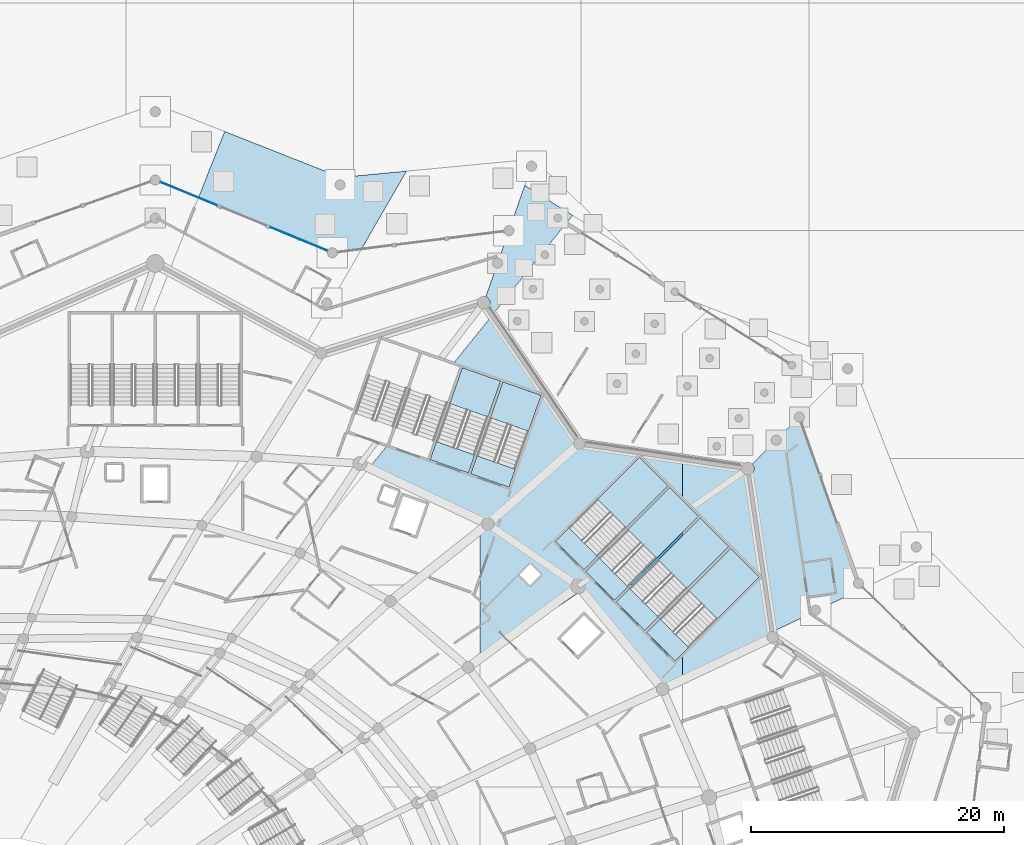
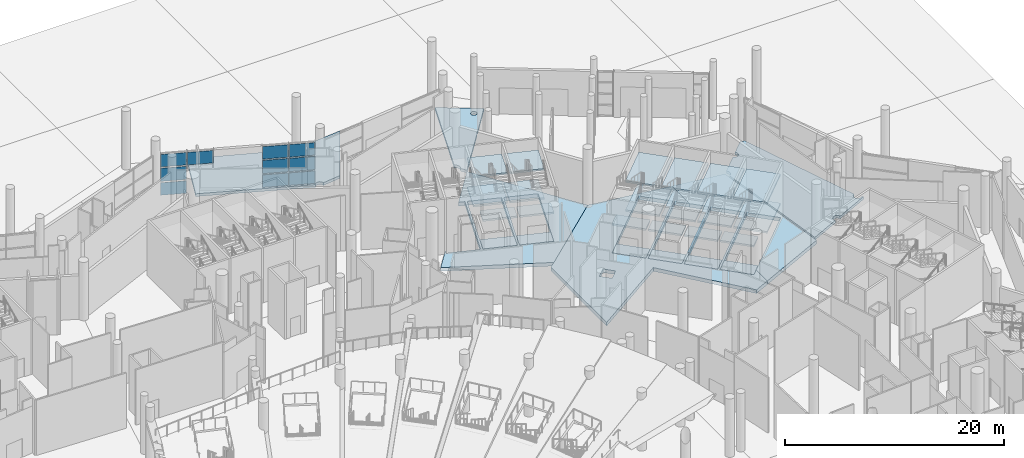
# One storey, part 98 of 255: 31 slabs, 10 plates, 8 elements without a shape of their own.
"""IFC4 building model written with IfcOpenShell, lengths in metres."""

import ifcopenshell
import ifcopenshell.guid

model = None  # the IFC model being written
_history = None  # IfcOwnerHistory: only IFC2X3 demands one
_inside = {}  # id of a spatial element -> (the spatial element, [elements in it])
_under = {}  # id of a project, library or spatial element -> (it, [spatial elements below it])
_declared = {}  # id of a project -> (the project, [libraries it declares])
_typed = {}  # id of a type object -> (the type object, [elements of that type])
_made_of = {}  # id of a material, layer set ... -> (it, [elements and type objects made of it])


def new_model(schema):
    """Start an empty IFC model of exactly this schema.

    Asked for "IFC4X3", IfcOpenShell would pick the latest addendum, in which some entities
    have other attributes; the version numbers below select the first issue.
    IFC2X3 requires an IfcOwnerHistory on every rooted entity: one is made here for all.
    """
    global model, _history
    if schema == "IFC4X3":
        model = ifcopenshell.file(schema_version=(4, 3, 0, 0))
    else:
        model = ifcopenshell.file(schema=schema)
    _inside.clear()
    _under.clear()
    _declared.clear()
    _typed.clear()
    _made_of.clear()
    _history = None
    if model.schema == "IFC2X3":
        org = make("IfcOrganization", Name="unknown")
        user = make(
            "IfcPersonAndOrganization",
            ThePerson=make("IfcPerson", FamilyName="unknown"),
            TheOrganization=org,
        )
        app = make(
            "IfcApplication",
            ApplicationDeveloper=org,
            Version="unknown",
            ApplicationFullName="unknown",
            ApplicationIdentifier="unknown",
        )
        _history = make(
            "IfcOwnerHistory",
            OwningUser=user,
            OwningApplication=app,
            ChangeAction="ADDED",
            CreationDate=0,
        )
    return model


def make(cls, **values):
    """One entity of the class cls with the attributes given. An attribute that is None is left unset."""
    return model.create_entity(
        cls, **{name: value for name, value in values.items() if value is not None}
    )


def rooted(cls, **values):
    """An entity with a GlobalId (a new one), such as an element, a storey or a relation."""
    return make(cls, GlobalId=ifcopenshell.guid.new(), OwnerHistory=_history, **values)


def si_unit(unit_type, name, prefix=None):
    """IfcSIUnit, for example si_unit("LENGTHUNIT", "METRE", prefix="MILLI")."""
    return make("IfcSIUnit", UnitType=unit_type, Prefix=prefix, Name=name)


def assignment(units):
    """IfcUnitAssignment: the units of a project."""
    return None if units is None else make("IfcUnitAssignment", Units=units)


def point(xyz):
    """IfcCartesianPoint."""
    return None if xyz is None else make("IfcCartesianPoint", Coordinates=xyz)


def direction(xyz):
    """IfcDirection."""
    return None if xyz is None else make("IfcDirection", DirectionRatios=xyz)


def frame(location, z_axis=None, x_axis=None):
    """IfcAxis2Placement3D, a coordinate frame: its origin and axes. An axis left out is left unset."""
    return make(
        "IfcAxis2Placement3D",
        Location=point(location),
        Axis=direction(z_axis),
        RefDirection=direction(x_axis),
    )


def frame_2d(location, x_axis=None):
    """IfcAxis2Placement2D, a coordinate frame in the plane: its origin and x axis."""
    return make(
        "IfcAxis2Placement2D", Location=point(location), RefDirection=direction(x_axis)
    )


def origin():
    """The frame at (0, 0, 0) with its axes left unset."""
    return frame((0.0, 0.0, 0.0))


def origin_2d():
    """The frame at (0, 0) in the plane with its x axis left unset."""
    return frame_2d((0.0, 0.0))


def place(relative_to, where):
    """IfcLocalPlacement: puts the frame where relative to a parent placement (None: the world)."""
    return make(
        "IfcLocalPlacement", PlacementRelTo=relative_to, RelativePlacement=where
    )


def context(
    kind, dimensions, precision=None, world=None, true_north=None, identifier=None
):
    """IfcGeometricRepresentationContext, for example the 3D "Model" context."""
    return make(
        "IfcGeometricRepresentationContext",
        ContextIdentifier=identifier,
        ContextType=kind,
        CoordinateSpaceDimension=dimensions,
        Precision=precision,
        WorldCoordinateSystem=world,
        TrueNorth=true_north,
    )


def subcontext(parent, identifier, kind, view, scale=None):
    """IfcGeometricRepresentationSubContext, for example "Body" below "Model"."""
    return make(
        "IfcGeometricRepresentationSubContext",
        ContextIdentifier=identifier,
        ContextType=kind,
        ParentContext=parent,
        TargetScale=scale,
        TargetView=view,
    )


def project(units=None, contexts=None):
    """IfcProject with its units and contexts."""
    return rooted(
        "IfcProject",
        Name="project",
        RepresentationContexts=contexts,
        UnitsInContext=assignment(units),
    )


def spatial(cls, under=None, at=None, **own):
    """A site, building, storey or space (cls), placed at a placement, below another one or the project."""
    s = rooted(cls, ObjectPlacement=at, **own)
    if under is not None:
        _under.setdefault(under.id(), (under, []))[1].append(s)
    return s


def polyline(points):
    """IfcPolyline through the points."""
    return make("IfcPolyline", Points=[point(p) for p in points])


def profile(cls, at=None, kind="AREA", **sizes):
    """A parametric profile (cls). Its sizes go by their IFC names, for example OverallWidth=200.0."""
    return make(cls, ProfileType=kind, Position=at, **sizes)


def rectangle(**sizes):
    """IfcRectangleProfileDef."""
    return profile("IfcRectangleProfileDef", **sizes)


def outline(outer, holes=None, kind="AREA"):
    """IfcArbitraryClosedProfileDef: a profile drawn as a closed curve; with holes, ...WithVoids."""
    if holes is None:
        return make("IfcArbitraryClosedProfileDef", ProfileType=kind, OuterCurve=outer)
    return make(
        "IfcArbitraryProfileDefWithVoids",
        ProfileType=kind,
        OuterCurve=outer,
        InnerCurves=holes,
    )


def extrude(swept, where, along, depth):
    """IfcExtrudedAreaSolid: the profile swept, set in the frame where, extruded along a direction by depth."""
    return make(
        "IfcExtrudedAreaSolid",
        SweptArea=swept,
        Position=where,
        ExtrudedDirection=direction(along),
        Depth=depth,
    )


def shape(context_of_items, identifier, shape_type, items):
    """IfcShapeRepresentation: the items that make up one representation, for example the "Body"."""
    return make(
        "IfcShapeRepresentation",
        ContextOfItems=context_of_items,
        RepresentationIdentifier=identifier,
        RepresentationType=shape_type,
        Items=items,
    )


def material(Name=None, Category=None):
    """IfcMaterial."""
    return make("IfcMaterial", Name=Name, Category=Category)


def layer(
    of_material, thickness, ventilated=None, Name=None, Category=None, Priority=None
):
    """IfcMaterialLayer: one layer of a wall or slab, of a material (None: an air gap)."""
    return make(
        "IfcMaterialLayer",
        Material=of_material,
        LayerThickness=thickness,
        IsVentilated=ventilated,
        Name=Name,
        Category=Category,
        Priority=Priority,
    )


def layer_set(layers, Name=None):
    """IfcMaterialLayerSet."""
    return make("IfcMaterialLayerSet", MaterialLayers=layers, LayerSetName=Name)


def made_of(thing, what):
    """Note that an element or type object is made of a material, layer set ...; save() writes the relation."""
    if what is not None:
        _made_of.setdefault(what.id(), (what, []))[1].append(thing)
    return thing


def type_object(cls, material=None, **own):
    """A type object (cls), such as IfcWallType, which elements share."""
    return made_of(rooted(cls, **own), material)


def element(
    cls,
    number,
    at=None,
    inside=None,
    cuts=None,
    type_object=None,
    material=None,
    context=None,
    identifier="Body",
    shape_type=None,
    held_by="IfcProductDefinitionShape",
    body=None,
    shapes=None,
    **own,
):
    """One element of the class cls, such as IfcWall. Its Tag is "e" and its number.

    at: its placement. inside: the storey or other place that contains it. cuts: it is an
    opening in that element (IfcRelVoidsElement). A single representation is given by context,
    identifier, shape_type and body (its items); several are given by shapes. held_by: the class
    of the entity that holds the representations. save() writes the other relations.
    """
    e = rooted(cls, Tag="e%d" % number, ObjectPlacement=at, **own)
    if body is not None:
        shapes = [shape(context, identifier, shape_type, body)]
    if shapes is not None:
        e.Representation = make(held_by, Representations=shapes)
    if inside is not None:
        _inside.setdefault(inside.id(), (inside, []))[1].append(e)
    if cuts is not None:
        rooted(
            "IfcRelVoidsElement", RelatingBuildingElement=cuts, RelatedOpeningElement=e
        )
    if type_object is not None:
        _typed.setdefault(type_object.id(), (type_object, []))[1].append(e)
    return made_of(e, material)


def aggregate(whole, parts):
    """IfcRelAggregates: a whole, such as a stair, and the parts it consists of."""
    return rooted("IfcRelAggregates", RelatingObject=whole, RelatedObjects=parts)


def save(model, path):
    """Write the relations noted so far, then the file.

    IfcRelAggregates (storeys below a building ...), IfcRelContainedInSpatialStructure (elements
    in a storey), IfcRelDefinesByType, IfcRelAssociatesMaterial and IfcRelDeclares: one each for
    every whole, place, type object, material and project.
    """
    for whole, parts in _under.values():
        aggregate(whole, parts)
    for where, things in _inside.values():
        rooted(
            "IfcRelContainedInSpatialStructure",
            RelatedElements=things,
            RelatingStructure=where,
        )
    for kind, things in _typed.values():
        rooted("IfcRelDefinesByType", RelatedObjects=things, RelatingType=kind)
    for what, things in _made_of.values():
        rooted("IfcRelAssociatesMaterial", RelatedObjects=things, RelatingMaterial=what)
    for by, libraries in _declared.values():
        rooted("IfcRelDeclares", RelatingContext=by, RelatedDefinitions=libraries)
    model.write(path)


model = new_model("IFC4")

# Units and contexts
model_context = context("Model", 3, precision=1e-05, world=origin(), true_north=direction((0.0, 1.0)))
body_context = subcontext(model_context, "Body", "Model", "MODEL_VIEW")
ifc_project = project(units=[si_unit("LENGTHUNIT", "METRE"), si_unit("AREAUNIT", "SQUARE_METRE"), si_unit("VOLUMEUNIT", "CUBIC_METRE"), si_unit("PLANEANGLEUNIT", "RADIAN"), si_unit("MASSUNIT", "GRAM", prefix="KILO")], contexts=[model_context])

# Site, building, storey
site_placement = place(None, origin())
site = spatial("IfcSite", under=ifc_project, at=site_placement, CompositionType="ELEMENT")
building_placement = place(site_placement, origin())
building = spatial("IfcBuilding", under=site, at=building_placement, Name="Meseta Stadium", CompositionType="ELEMENT")
storey_placement = place(building_placement, origin())
storey = spatial("IfcBuildingStorey", under=building, at=storey_placement, Name="L00", CompositionType="ELEMENT", Elevation=0.0)

# Slabs
ifc_material_1 = material(Name="Concrete C40/50", Category="concrete")
ifc_layer_1 = layer(ifc_material_1, 0.39990234375)
ifc_layer_set_1 = layer_set([ifc_layer_1], Name="Floor slab 400")
slab_type_1 = type_object("IfcSlabType", Name="Floor slab 400", PredefinedType="FLOOR", material=ifc_layer_set_1)
slab_1_placement = place(storey_placement, frame((0.0, 0.0, -0.39990234375)))
element("IfcSlab", 1, at=slab_1_placement, inside=storey, type_object=slab_type_1, Name="Floor slab L00 sector 07 panel 07", PredefinedType="FLOOR", context=body_context, shape_type="SweptSolid", body=[
    extrude(outline(polyline([(55.242919921875, 89.238037109375), (64.6220703125, 84.79248046875), (71.856689453125, 91.15087890625), (64.973388671875, 101.294921875), (61.85107421875, 97.426025390625), (62.419677734375, 97.227294921875), (59.87646484375, 89.959228515625), (56.85595703125, 91.01611328125), (56.9921875, 91.40576171875), (55.242919921875, 89.238037109375)]), holes=[polyline([(62.6083984375, 97.1611328125), (65.62890625, 96.104248046875), (63.085693359375, 88.836181640625), (60.065185546875, 89.893310546875), (62.6083984375, 97.1611328125)]), polyline([(65.8173828125, 96.0380859375), (68.837890625, 94.981201171875), (66.294921875, 87.71337890625), (63.2744140625, 88.770263671875), (65.8173828125, 96.0380859375)])]), origin(), (0.0, 0.0, 1.0), 0.39990234375),
])
slab_2_placement = place(storey_placement, frame((0.0, 0.0, -0.39990234375)))
element("IfcSlab", 2, at=slab_2_placement, inside=storey, type_object=slab_type_1, Name="Floor slab L00 sector 07 panel 08", PredefinedType="FLOOR", context=body_context, shape_type="SweptSolid", body=[
    extrude(outline(polyline([(77.183349609375, 76.233642578125), (80.94970703125, 80.0), (80.6669921875, 80.0), (77.0419921875, 76.375), (74.779296875, 78.6376953125), (76.141357421875, 80.0), (75.858642578125, 80.0), (74.6376953125, 78.779296875), (72.375, 81.0419921875), (79.02197265625, 87.688720703125), (80.0, 86.710693359375), (80.0, 89.94189453125), (71.856689453125, 91.15087890625), (64.6220703125, 84.79248046875), (64.0, 84.300537109375), (64.0, 74.098876953125), (72.06103515625, 79.54052734375), (78.4453125, 71.756103515625), (80.0, 72.48828125), (80.0, 74.524658203125), (79.4462890625, 73.970947265625), (77.183349609375, 76.233642578125)]), holes=[polyline([(67.963134765625, 81.650390625), (68.811767578125, 80.802001953125), (67.963134765625, 79.953369140625), (67.114501953125, 80.802001953125), (67.963134765625, 81.650390625)]), polyline([(78.880615234375, 87.830078125), (72.233642578125, 81.183349609375), (69.970947265625, 83.4462890625), (76.61767578125, 90.093017578125), (78.880615234375, 87.830078125)])]), origin(), (0.0, 0.0, 1.0), 0.39990234375),
])
slab_3_placement = place(storey_placement, frame((0.0, 0.0, -0.39990234375)))
element("IfcSlab", 3, at=slab_3_placement, inside=storey, type_object=slab_type_1, Name="Floor slab L00 sector 07 panel 13", PredefinedType="FLOOR", context=body_context, shape_type="SweptSolid", body=[
    extrude(outline(polyline([(75.858642578125, 80.0), (76.141357421875, 80.0), (80.0, 83.858642578125), (80.0, 84.141357421875), (75.858642578125, 80.0)])), origin(), (0.0, 0.0, 1.0), 0.39990234375),
])
slab_4_placement = place(storey_placement, frame((0.0, 0.0, -0.39990234375)))
element("IfcSlab", 4, at=slab_4_placement, inside=storey, type_object=slab_type_1, Name="Floor slab L00 sector 07 panel 14", PredefinedType="FLOOR", context=body_context, shape_type="SweptSolid", body=[
    extrude(outline(polyline([(86.093017578125, 80.61767578125), (80.0, 74.524658203125), (80.0, 72.48828125), (87.15087890625, 75.856689453125), (85.173583984375, 89.173583984375), (80.0, 89.94189453125), (80.0, 86.710693359375), (81.28466796875, 85.426025390625), (80.0, 84.141357421875), (80.0, 83.858642578125), (81.426025390625, 85.28466796875), (83.688720703125, 83.02197265625), (80.6669921875, 80.0), (80.94970703125, 80.0), (83.830078125, 82.880615234375), (86.093017578125, 80.61767578125)])), origin(), (0.0, 0.0, 1.0), 0.39990234375),
])
ifc_material_2 = material(Name="Concrete C30/37", Category="concrete")
ifc_layer_2 = layer(ifc_material_2, 0.300048828125)
ifc_layer_set_2 = layer_set([ifc_layer_2], Name="Gate grade slab 300")
slab_type_2 = type_object("IfcSlabType", Name="Gate grade slab 300", PredefinedType="BASESLAB", material=ifc_layer_set_2)
slab_5_placement = place(storey_placement, frame((0.0, 0.0, -0.300048828125)))
element("IfcSlab", 5, at=slab_5_placement, inside=storey, type_object=slab_type_2, Name="Gate ground floor slab 2 part 1", PredefinedType="BASESLAB", context=body_context, shape_type="SweptSolid", body=[
    extrude(outline(polyline([(64.708740234375, 102.005615234375), (65.079833984375, 101.458740234375), (68.8388671875, 106.116455078125), (68.84521484375, 106.165283203125), (68.87548828125, 106.23828125), (68.923583984375, 106.30078125), (68.986083984375, 106.348876953125), (69.046630859375, 106.3740234375), (71.326904296875, 109.19921875), (67.5458984375, 111.57470703125), (64.462890625, 102.763916015625), (64.549560546875, 102.727783203125), (64.654052734375, 102.647705078125), (64.734130859375, 102.543212890625), (64.78466796875, 102.421630859375), (64.8017578125, 102.291015625), (64.78466796875, 102.16064453125), (64.734130859375, 102.0390625), (64.708740234375, 102.005615234375)]), holes=[polyline([(70.30517578125, 108.729248046875), (70.232177734375, 108.69921875), (70.15380859375, 108.688720703125), (70.075439453125, 108.69921875), (70.00244140625, 108.729248046875), (69.939697265625, 108.77734375), (69.8916015625, 108.840087890625), (69.861572265625, 108.9130859375), (69.851318359375, 108.991455078125), (69.861572265625, 109.069580078125), (69.8916015625, 109.142578125), (69.939697265625, 109.205322265625), (70.00244140625, 109.25341796875), (70.075439453125, 109.28369140625), (70.15380859375, 109.2939453125), (70.232177734375, 109.28369140625), (70.30517578125, 109.25341796875), (70.367919921875, 109.205322265625), (70.415771484375, 109.142578125), (70.446044921875, 109.069580078125), (70.456298828125, 108.991455078125), (70.446044921875, 108.9130859375), (70.415771484375, 108.840087890625), (70.367919921875, 108.77734375), (70.30517578125, 108.729248046875)])]), origin(), (0.0, 0.0, 1.0), 0.300048828125),
])
ifc_material_3 = material(Name="Concrete C40/50", Category="concrete")
ifc_layer_3 = layer(ifc_material_3, 0.300048828125)
ifc_layer_set_3 = layer_set([ifc_layer_3], Name="Passage paving slab 300")
slab_type_3 = type_object("IfcSlabType", Name="Passage paving slab 300", PredefinedType="FLOOR", material=ifc_layer_set_3)
slab_6_placement = place(storey_placement, frame((0.0, 0.0, -0.300048828125)))
element("IfcSlab", 6, at=slab_6_placement, inside=storey, type_object=slab_type_3, Name="Covered passage paving 2 panel 03", PredefinedType="FLOOR", context=body_context, shape_type="SweptSolid", body=[
    extrude(outline(polyline([(58.19482421875, 112.697998046875), (53.009033203125, 112.206298828125), (43.822509765625, 115.8330078125), (41.7451171875, 110.59765625), (51.96728515625, 106.396240234375), (51.98779296875, 106.44580078125), (52.052001953125, 106.529296875), (52.135498046875, 106.593505859375), (52.23291015625, 106.6337890625), (52.337158203125, 106.647705078125), (52.441650390625, 106.6337890625), (52.538818359375, 106.593505859375), (52.62255859375, 106.529296875), (52.6865234375, 106.44580078125), (52.726806640625, 106.348388671875), (52.734130859375, 106.293701171875), (54.630126953125, 106.531005859375), (58.19482421875, 112.697998046875)]), holes=[polyline([(52.94189453125, 111.206787109375), (52.83740234375, 111.220458984375), (52.739990234375, 111.2607421875), (52.656494140625, 111.324951171875), (52.59228515625, 111.408447265625), (52.552001953125, 111.505615234375), (52.538330078125, 111.610107421875), (52.552001953125, 111.714599609375), (52.59228515625, 111.81201171875), (52.656494140625, 111.8955078125), (52.739990234375, 111.959716796875), (52.83740234375, 112.0), (52.94189453125, 112.013671875), (53.046142578125, 112.0), (53.1435546875, 111.959716796875), (53.22705078125, 111.8955078125), (53.291259765625, 111.81201171875), (53.33154296875, 111.714599609375), (53.34521484375, 111.610107421875), (53.33154296875, 111.505615234375), (53.291259765625, 111.408447265625), (53.22705078125, 111.324951171875), (53.1435546875, 111.2607421875), (53.046142578125, 111.220458984375), (52.94189453125, 111.206787109375)])]), origin(), (0.0, 0.0, 1.0), 0.300048828125),
])

# Curtain wall, plates
ifc_material_4 = material(Name="Aluminium", Category="aluminium")
ifc_layer_4 = layer(ifc_material_4, 0.199951171875)
ifc_layer_set_4 = layer_set([ifc_layer_4], Name="Ring shopfront curtain wall")
curtain_wall_type = type_object("IfcCurtainWallType", Name="Ring shopfront curtain wall", PredefinedType="NOTDEFINED", material=ifc_layer_set_4)
curtain_wall_1_placement = place(storey_placement, origin())
curtain_wall_1 = element("IfcCurtainWall", 7, at=curtain_wall_1_placement, inside=storey, type_object=curtain_wall_type, Name="Shopfront glazing F15a", PredefinedType="NOTDEFINED")
ifc_material_5 = material(Name="Glass", Category="glass")
ifc_layer_5 = layer(ifc_material_5, 0.035888671875)
ifc_layer_set_5 = layer_set([ifc_layer_5], Name="Ring CW glass panel 36")
plate_type = type_object("IfcPlateType", Name="Ring CW glass panel 36", PredefinedType="CURTAIN_PANEL", material=ifc_layer_set_5)
plate_1_placement = place(storey_placement, frame((50.803955078125, 106.874267578125, 0.150146484375), z_axis=(0.0, 0.0, 1.0), x_axis=(-0.924920418175, 0.380160781831, 0.0)))
plate_1 = element("IfcPlate", 8, at=plate_1_placement, type_object=plate_type, Name="CWR1 panel 1.1", PredefinedType="CURTAIN_PANEL", context=body_context, shape_type="SweptSolid", body=[
    extrude(rectangle(XDim=2.39501953125, YDim=0.035888671875, at=origin_2d()), origin(), (0.0, 0.0, 1.0), 1.3916015625),
])
plate_2_placement = place(storey_placement, frame((50.803955078125, 106.874267578125, 1.69189453125), z_axis=(0.0, 0.0, 1.0), x_axis=(-0.924920418175, 0.380160781831, 0.0)))
plate_2 = element("IfcPlate", 9, at=plate_2_placement, type_object=plate_type, Name="CWR1 panel 1.2", PredefinedType="CURTAIN_PANEL", context=body_context, shape_type="SweptSolid", body=[
    extrude(rectangle(XDim=2.39501953125, YDim=0.035888671875, at=origin_2d()), origin(), (0.0, 0.0, 1.0), 1.466552734375),
])
plate_3_placement = place(storey_placement, frame((50.803955078125, 106.874267578125, 3.308349609375), z_axis=(0.0, 0.0, 1.0), x_axis=(-0.924920418175, 0.380160781831, 0.0)))
plate_3 = element("IfcPlate", 10, at=plate_3_placement, type_object=plate_type, Name="CWR1 panel 1.3", PredefinedType="CURTAIN_PANEL", context=body_context, shape_type="SweptSolid", body=[
    extrude(rectangle(XDim=2.39501953125, YDim=0.035888671875, at=origin_2d()), origin(), (0.0, 0.0, 1.0), 1.3916015625),
])
plate_4_placement = place(storey_placement, frame((48.533203125, 107.8076171875, 0.150146484375), z_axis=(0.0, 0.0, 1.0), x_axis=(-0.924920418175, 0.380160781831, 0.0)))
plate_4 = element("IfcPlate", 11, at=plate_4_placement, type_object=plate_type, Name="CWR1 panel 2.1", PredefinedType="CURTAIN_PANEL", context=body_context, shape_type="SweptSolid", body=[
    extrude(rectangle(XDim=2.39501953125, YDim=0.035888671875, at=origin_2d()), origin(), (0.0, 0.0, 1.0), 1.3916015625),
])
plate_5_placement = place(storey_placement, frame((48.533203125, 107.8076171875, 1.69189453125), z_axis=(0.0, 0.0, 1.0), x_axis=(-0.924920418175, 0.380160781831, 0.0)))
plate_5 = element("IfcPlate", 12, at=plate_5_placement, type_object=plate_type, Name="CWR1 panel 2.2", PredefinedType="CURTAIN_PANEL", context=body_context, shape_type="SweptSolid", body=[
    extrude(rectangle(XDim=2.39501953125, YDim=0.035888671875, at=origin_2d()), origin(), (0.0, 0.0, 1.0), 1.466552734375),
])
plate_6_placement = place(storey_placement, frame((48.533203125, 107.8076171875, 3.308349609375), z_axis=(0.0, 0.0, 1.0), x_axis=(-0.924920418175, 0.380160781831, 0.0)))
plate_6 = element("IfcPlate", 13, at=plate_6_placement, type_object=plate_type, Name="CWR1 panel 2.3", PredefinedType="CURTAIN_PANEL", context=body_context, shape_type="SweptSolid", body=[
    extrude(rectangle(XDim=2.39501953125, YDim=0.035888671875, at=origin_2d()), origin(), (0.0, 0.0, 1.0), 1.3916015625),
])
aggregate(curtain_wall_1, [plate_1, plate_2, plate_3, plate_4, plate_5, plate_6])

curtain_wall_2_placement = place(storey_placement, origin())
curtain_wall_2 = element("IfcCurtainWall", 14, at=curtain_wall_2_placement, inside=storey, type_object=curtain_wall_type, Name="Shopfront glazing F15b", PredefinedType="NOTDEFINED")
plate_7_placement = place(storey_placement, frame((42.13720703125, 110.4365234375, 3.308349609375), z_axis=(0.0, 0.0, 1.0), x_axis=(-0.924920418175, 0.380160781831, 0.0)))
plate_7 = element("IfcPlate", 15, at=plate_7_placement, type_object=plate_type, Name="CWR1 panel 1.3", PredefinedType="CURTAIN_PANEL", context=body_context, shape_type="SweptSolid", body=[
    extrude(rectangle(XDim=2.39501953125, YDim=0.035888671875, at=origin_2d()), origin(), (0.0, 0.0, 1.0), 1.3916015625),
])
plate_8_placement = place(storey_placement, frame((39.866455078125, 111.369873046875, 0.150146484375), z_axis=(0.0, 0.0, 1.0), x_axis=(-0.924920418175, 0.380160781831, 0.0)))
plate_8 = element("IfcPlate", 16, at=plate_8_placement, type_object=plate_type, Name="CWR1 panel 2.1", PredefinedType="CURTAIN_PANEL", context=body_context, shape_type="SweptSolid", body=[
    extrude(rectangle(XDim=2.39501953125, YDim=0.035888671875, at=origin_2d()), origin(), (0.0, 0.0, 1.0), 1.3916015625),
])
plate_9_placement = place(storey_placement, frame((39.866455078125, 111.369873046875, 1.69189453125), z_axis=(0.0, 0.0, 1.0), x_axis=(-0.924920418175, 0.380160781831, 0.0)))
plate_9 = element("IfcPlate", 17, at=plate_9_placement, type_object=plate_type, Name="CWR1 panel 2.2", PredefinedType="CURTAIN_PANEL", context=body_context, shape_type="SweptSolid", body=[
    extrude(rectangle(XDim=2.39501953125, YDim=0.035888671875, at=origin_2d()), origin(), (0.0, 0.0, 1.0), 1.466552734375),
])
plate_10_placement = place(storey_placement, frame((39.866455078125, 111.369873046875, 3.308349609375), z_axis=(0.0, 0.0, 1.0), x_axis=(-0.924920418175, 0.380160781831, 0.0)))
plate_10 = element("IfcPlate", 18, at=plate_10_placement, type_object=plate_type, Name="CWR1 panel 2.3", PredefinedType="CURTAIN_PANEL", context=body_context, shape_type="SweptSolid", body=[
    extrude(rectangle(XDim=2.39501953125, YDim=0.035888671875, at=origin_2d()), origin(), (0.0, 0.0, 1.0), 1.3916015625),
])
aggregate(curtain_wall_2, [plate_7, plate_8, plate_9, plate_10])

# Slab
ifc_material_6 = material(Name="Concrete C30/37", Category="concrete")
ifc_layer_6 = layer(ifc_material_6, 0.300048828125)
ifc_layer_set_6 = layer_set([ifc_layer_6], Name="Ring grade slab 300")
slab_type_4 = type_object("IfcSlabType", Name="Ring grade slab 300", PredefinedType="BASESLAB", material=ifc_layer_set_6)
slab_7_placement = place(storey_placement, frame((0.0, 0.0, -0.300048828125)))
element("IfcSlab", 19, at=slab_7_placement, inside=storey, type_object=slab_type_4, Name="Ring ground floor slab 1 part 1 panel 01", PredefinedType="BASESLAB", context=body_context, shape_type="SweptSolid", body=[
    extrude(outline(polyline([(85.610595703125, 88.921630859375), (85.5302734375, 88.817138671875), (85.42578125, 88.737060546875), (85.392333984375, 88.722900390625), (87.2333984375, 76.32080078125), (90.21142578125, 77.753173828125), (90.188232421875, 77.783203125), (90.14794921875, 77.880615234375), (90.13427734375, 77.98486328125), (90.14794921875, 78.08935546875), (90.188232421875, 78.1865234375), (90.25244140625, 78.270263671875), (90.3359375, 78.334228515625), (90.433349609375, 78.37451171875), (90.53759765625, 78.38818359375), (90.64208984375, 78.37451171875), (90.739501953125, 78.334228515625), (90.822998046875, 78.270263671875), (90.88720703125, 78.1865234375), (90.924560546875, 78.09619140625), (94.31884765625, 79.728515625), (94.212890625, 79.831787109375), (94.2099609375, 79.82763671875), (94.126220703125, 79.763671875), (94.029052734375, 79.723388671875), (93.924560546875, 79.709716796875), (93.8203125, 79.723388671875), (93.722900390625, 79.763671875), (93.639404296875, 79.82763671875), (93.5751953125, 79.911376953125), (93.534912109375, 80.008544921875), (93.52099609375, 80.113037109375), (93.534912109375, 80.21728515625), (93.5751953125, 80.314697265625), (93.639404296875, 80.398193359375), (93.722900390625, 80.46240234375), (93.79052734375, 80.490478515625), (89.388916015625, 92.87744140625), (89.359375, 92.864990234375), (89.2548828125, 92.851318359375), (89.150390625, 92.864990234375), (89.052978515625, 92.905517578125), (88.969482421875, 92.969482421875), (87.711669921875, 91.711669921875), (87.77587890625, 91.628173828125), (87.816162109375, 91.53076171875), (87.829833984375, 91.426513671875), (87.816162109375, 91.322021484375), (87.77587890625, 91.224609375), (87.711669921875, 91.14111328125), (87.628173828125, 91.076904296875), (87.53076171875, 91.03662109375), (87.426513671875, 91.02294921875), (87.322021484375, 91.03662109375), (87.224609375, 91.076904296875), (87.14111328125, 91.14111328125), (85.5302734375, 89.5302734375), (85.610595703125, 89.42578125), (85.660888671875, 89.30419921875), (85.677978515625, 89.173583984375), (85.660888671875, 89.043212890625), (85.610595703125, 88.921630859375)])), origin(), (0.0, 0.0, 1.0), 0.300048828125),
])

# Stair, slabs
ifc_material_7 = material(Name="Concrete C40/50", Category="concrete")
stair_type = type_object("IfcStairType", Name="Exit stair 4 flights 148 mm risers", PredefinedType="HALF_TURN_STAIR", material=ifc_material_7)
stair_1_placement = place(storey_placement, origin())
stair_1 = element("IfcStair", 20, at=stair_1_placement, inside=storey, type_object=stair_type, Name="ST25 L00", PredefinedType="HALF_TURN_STAIR")
ifc_material_8 = material(Name="Concrete C40/50", Category="concrete")
ifc_layer_7 = layer(ifc_material_8, 0.199951171875)
ifc_layer_set_7 = layer_set([ifc_layer_7], Name="Stair landing 200")
slab_type_5 = type_object("IfcSlabType", Name="Stair landing 200", PredefinedType="LANDING", material=ifc_layer_set_7)
slab_8_placement = place(storey_placement, frame((0.0, 0.0, 1.425048828125)))
slab_8 = element("IfcSlab", 21, at=slab_8_placement, type_object=slab_type_5, Name="ST25 L00 landing 1", PredefinedType="LANDING", context=body_context, shape_type="SweptSolid", body=[
    extrude(outline(polyline([(82.762451171875, 77.287353515625), (86.093017578125, 80.61767578125), (83.830322265625, 82.88037109375), (80.499755859375, 79.550048828125), (82.762451171875, 77.287353515625)])), origin(), (0.0, 0.0, 1.0), 0.199951171875),
])
slab_9_placement = place(storey_placement, frame((0.0, 0.0, 3.050048828125)))
slab_9 = element("IfcSlab", 22, at=slab_9_placement, type_object=slab_type_5, Name="ST25 L00 landing 2", PredefinedType="LANDING", context=body_context, shape_type="SweptSolid", body=[
    extrude(outline(polyline([(79.446044921875, 73.970947265625), (80.513916015625, 75.03857421875), (78.251220703125, 77.301513671875), (77.183349609375, 76.233642578125), (79.446044921875, 73.970947265625)])), origin(), (0.0, 0.0, 1.0), 0.199951171875),
])
slab_10_placement = place(storey_placement, frame((0.0, 0.0, 4.675048828125)))
slab_10 = element("IfcSlab", 23, at=slab_10_placement, type_object=slab_type_5, Name="ST25 L00 landing 3", PredefinedType="LANDING", context=body_context, shape_type="SweptSolid", body=[
    extrude(outline(polyline([(82.762451171875, 77.287353515625), (86.093017578125, 80.61767578125), (83.830322265625, 82.88037109375), (80.499755859375, 79.550048828125), (82.762451171875, 77.287353515625)])), origin(), (0.0, 0.0, 1.0), 0.199951171875),
])
slab_11_placement = place(storey_placement, frame((0.0, 0.0, -0.199951171875)))
slab_11 = element("IfcSlab", 24, at=slab_11_placement, type_object=slab_type_5, Name="ST25 L00 landing 4", PredefinedType="LANDING", context=body_context, shape_type="SweptSolid", body=[
    extrude(outline(polyline([(79.4462890625, 73.970947265625), (79.988037109375, 74.5126953125), (79.988037109375, 74.524658203125), (79.988037109375, 74.52587890625), (79.98828125, 74.527099609375), (79.988525390625, 74.5283203125), (79.989013671875, 74.529296875), (79.989501953125, 74.530517578125), (79.989990234375, 74.531494140625), (79.99072265625, 74.5322265625), (79.991455078125, 74.533203125), (80.50537109375, 75.047119140625), (78.251220703125, 77.301513671875), (77.183349609375, 76.233642578125), (79.4462890625, 73.970947265625)])), origin(), (0.0, 0.0, 1.0), 0.199951171875),
])
aggregate(stair_1, [slab_8, slab_9, slab_10, slab_11])

stair_2_placement = place(storey_placement, origin())
stair_2 = element("IfcStair", 25, at=stair_2_placement, inside=storey, type_object=stair_type, Name="ST26 L00", PredefinedType="HALF_TURN_STAIR")
slab_12_placement = place(storey_placement, frame((0.0, 0.0, 1.425048828125)))
slab_12 = element("IfcSlab", 26, at=slab_12_placement, type_object=slab_type_5, Name="ST26 L00 landing 1", PredefinedType="LANDING", context=body_context, shape_type="SweptSolid", body=[
    extrude(outline(polyline([(80.3583984375, 79.69140625), (83.688720703125, 83.02197265625), (81.426025390625, 85.28466796875), (78.095458984375, 81.9541015625), (80.3583984375, 79.69140625)])), origin(), (0.0, 0.0, 1.0), 0.199951171875),
])
slab_13_placement = place(storey_placement, frame((0.0, 0.0, 3.050048828125)))
slab_13 = element("IfcSlab", 27, at=slab_13_placement, type_object=slab_type_5, Name="ST26 L00 landing 2", PredefinedType="LANDING", context=body_context, shape_type="SweptSolid", body=[
    extrude(outline(polyline([(77.0419921875, 76.375), (78.109619140625, 77.44287109375), (75.846923828125, 79.70556640625), (74.779296875, 78.637939453125), (77.0419921875, 76.375)])), origin(), (0.0, 0.0, 1.0), 0.199951171875),
])
slab_14_placement = place(storey_placement, frame((0.0, 0.0, 4.675048828125)))
slab_14 = element("IfcSlab", 28, at=slab_14_placement, type_object=slab_type_5, Name="ST26 L00 landing 3", PredefinedType="LANDING", context=body_context, shape_type="SweptSolid", body=[
    extrude(outline(polyline([(80.3583984375, 79.69140625), (83.688720703125, 83.02197265625), (81.426025390625, 85.28466796875), (78.095458984375, 81.9541015625), (80.3583984375, 79.69140625)])), origin(), (0.0, 0.0, 1.0), 0.199951171875),
])
slab_15_placement = place(storey_placement, frame((0.0, 0.0, -0.199951171875)))
slab_15 = element("IfcSlab", 29, at=slab_15_placement, type_object=slab_type_5, Name="ST26 L00 landing 4", PredefinedType="LANDING", context=body_context, shape_type="SweptSolid", body=[
    extrude(outline(polyline([(77.0419921875, 76.375), (78.109619140625, 77.44287109375), (75.846923828125, 79.70556640625), (74.779296875, 78.637939453125), (77.0419921875, 76.375)])), origin(), (0.0, 0.0, 1.0), 0.199951171875),
])
aggregate(stair_2, [slab_12, slab_13, slab_14, slab_15])

stair_3_placement = place(storey_placement, origin())
stair_3 = element("IfcStair", 30, at=stair_3_placement, inside=storey, type_object=stair_type, Name="ST27 L00", PredefinedType="HALF_TURN_STAIR")
slab_16_placement = place(storey_placement, frame((0.0, 0.0, 1.425048828125)))
slab_16 = element("IfcSlab", 31, at=slab_16_placement, type_object=slab_type_5, Name="ST27 L00 landing 1", PredefinedType="LANDING", context=body_context, shape_type="SweptSolid", body=[
    extrude(outline(polyline([(77.9541015625, 82.095458984375), (81.28466796875, 85.426025390625), (79.02197265625, 87.688720703125), (75.69140625, 84.3583984375), (77.9541015625, 82.095458984375)])), origin(), (0.0, 0.0, 1.0), 0.199951171875),
])
slab_17_placement = place(storey_placement, frame((0.0, 0.0, 3.050048828125)))
slab_17 = element("IfcSlab", 32, at=slab_17_placement, type_object=slab_type_5, Name="ST27 L00 landing 2", PredefinedType="LANDING", context=body_context, shape_type="SweptSolid", body=[
    extrude(outline(polyline([(74.637939453125, 78.779296875), (75.70556640625, 79.846923828125), (73.44287109375, 82.109619140625), (72.375, 81.0419921875), (74.637939453125, 78.779296875)])), origin(), (0.0, 0.0, 1.0), 0.199951171875),
])
slab_18_placement = place(storey_placement, frame((0.0, 0.0, 4.675048828125)))
slab_18 = element("IfcSlab", 33, at=slab_18_placement, type_object=slab_type_5, Name="ST27 L00 landing 3", PredefinedType="LANDING", context=body_context, shape_type="SweptSolid", body=[
    extrude(outline(polyline([(77.9541015625, 82.095458984375), (81.28466796875, 85.426025390625), (79.02197265625, 87.688720703125), (75.69140625, 84.3583984375), (77.9541015625, 82.095458984375)])), origin(), (0.0, 0.0, 1.0), 0.199951171875),
])
slab_19_placement = place(storey_placement, frame((0.0, 0.0, -0.199951171875)))
slab_19 = element("IfcSlab", 34, at=slab_19_placement, type_object=slab_type_5, Name="ST27 L00 landing 4", PredefinedType="LANDING", context=body_context, shape_type="SweptSolid", body=[
    extrude(outline(polyline([(74.637939453125, 78.779296875), (75.70556640625, 79.846923828125), (73.44287109375, 82.109619140625), (72.375, 81.0419921875), (74.637939453125, 78.779296875)])), origin(), (0.0, 0.0, 1.0), 0.199951171875),
])
aggregate(stair_3, [slab_16, slab_17, slab_18, slab_19])

stair_4_placement = place(storey_placement, origin())
stair_4 = element("IfcStair", 35, at=stair_4_placement, inside=storey, type_object=stair_type, Name="ST28 L00", PredefinedType="HALF_TURN_STAIR")
slab_20_placement = place(storey_placement, frame((0.0, 0.0, 1.425048828125)))
slab_20 = element("IfcSlab", 36, at=slab_20_placement, type_object=slab_type_5, Name="ST28 L00 landing 1", PredefinedType="LANDING", context=body_context, shape_type="SweptSolid", body=[
    extrude(outline(polyline([(75.550048828125, 84.499755859375), (78.88037109375, 87.830322265625), (76.61767578125, 90.093017578125), (73.287353515625, 86.762451171875), (75.550048828125, 84.499755859375)])), origin(), (0.0, 0.0, 1.0), 0.199951171875),
])
slab_21_placement = place(storey_placement, frame((0.0, 0.0, 3.050048828125)))
slab_21 = element("IfcSlab", 37, at=slab_21_placement, type_object=slab_type_5, Name="ST28 L00 landing 2", PredefinedType="LANDING", context=body_context, shape_type="SweptSolid", body=[
    extrude(outline(polyline([(72.233642578125, 81.183349609375), (73.301513671875, 82.251220703125), (71.03857421875, 84.513916015625), (69.970947265625, 83.446044921875), (72.233642578125, 81.183349609375)])), origin(), (0.0, 0.0, 1.0), 0.199951171875),
])
slab_22_placement = place(storey_placement, frame((0.0, 0.0, 4.675048828125)))
slab_22 = element("IfcSlab", 38, at=slab_22_placement, type_object=slab_type_5, Name="ST28 L00 landing 3", PredefinedType="LANDING", context=body_context, shape_type="SweptSolid", body=[
    extrude(outline(polyline([(75.550048828125, 84.499755859375), (78.88037109375, 87.830322265625), (76.61767578125, 90.093017578125), (73.287353515625, 86.762451171875), (75.550048828125, 84.499755859375)])), origin(), (0.0, 0.0, 1.0), 0.199951171875),
])
slab_23_placement = place(storey_placement, frame((0.0, 0.0, -0.199951171875)))
slab_23 = element("IfcSlab", 39, at=slab_23_placement, type_object=slab_type_5, Name="ST28 L00 landing 4", PredefinedType="LANDING", context=body_context, shape_type="SweptSolid", body=[
    extrude(outline(polyline([(72.233642578125, 81.183349609375), (73.301513671875, 82.251220703125), (71.03857421875, 84.513916015625), (69.970947265625, 83.446044921875), (72.233642578125, 81.183349609375)])), origin(), (0.0, 0.0, 1.0), 0.199951171875),
])
aggregate(stair_4, [slab_20, slab_21, slab_22, slab_23])

stair_5_placement = place(storey_placement, origin())
stair_5 = element("IfcStair", 40, at=stair_5_placement, inside=storey, type_object=stair_type, Name="ST29 L00", PredefinedType="HALF_TURN_STAIR")
slab_24_placement = place(storey_placement, frame((0.0, 0.0, 1.425048828125)))
slab_24 = element("IfcSlab", 41, at=slab_24_placement, type_object=slab_type_5, Name="ST29 L00 landing 1", PredefinedType="LANDING", context=body_context, shape_type="SweptSolid", body=[
    extrude(outline(polyline([(67.84375, 92.14013671875), (68.837890625, 94.981201171875), (65.817626953125, 96.0380859375), (64.823486328125, 93.197021484375), (67.84375, 92.14013671875)])), origin(), (0.0, 0.0, 1.0), 0.199951171875),
])
slab_25_placement = place(storey_placement, frame((0.0, 0.0, 3.050048828125)))
slab_25 = element("IfcSlab", 42, at=slab_25_placement, type_object=slab_type_5, Name="ST29 L00 landing 2", PredefinedType="LANDING", context=body_context, shape_type="SweptSolid", body=[
    extrude(outline(polyline([(66.294921875, 87.71337890625), (66.79345703125, 89.138671875), (63.773193359375, 90.195556640625), (63.2744140625, 88.770263671875), (66.294921875, 87.71337890625)])), origin(), (0.0, 0.0, 1.0), 0.199951171875),
])
slab_26_placement = place(storey_placement, frame((0.0, 0.0, 4.675048828125)))
slab_26 = element("IfcSlab", 43, at=slab_26_placement, type_object=slab_type_5, Name="ST29 L00 landing 3", PredefinedType="LANDING", context=body_context, shape_type="SweptSolid", body=[
    extrude(outline(polyline([(67.84375, 92.14013671875), (68.837890625, 94.981201171875), (65.817626953125, 96.0380859375), (64.823486328125, 93.197021484375), (67.84375, 92.14013671875)])), origin(), (0.0, 0.0, 1.0), 0.199951171875),
])
slab_27_placement = place(storey_placement, frame((0.0, 0.0, -0.199951171875)))
slab_27 = element("IfcSlab", 44, at=slab_27_placement, type_object=slab_type_5, Name="ST29 L00 landing 4", PredefinedType="LANDING", context=body_context, shape_type="SweptSolid", body=[
    extrude(outline(polyline([(66.294921875, 87.71337890625), (66.79345703125, 89.138671875), (63.773193359375, 90.195556640625), (63.2744140625, 88.770263671875), (66.294921875, 87.71337890625)])), origin(), (0.0, 0.0, 1.0), 0.199951171875),
])
aggregate(stair_5, [slab_24, slab_25, slab_26, slab_27])

stair_6_placement = place(storey_placement, origin())
stair_6 = element("IfcStair", 45, at=stair_6_placement, inside=storey, type_object=stair_type, Name="ST30 L00", PredefinedType="HALF_TURN_STAIR")
slab_28_placement = place(storey_placement, frame((0.0, 0.0, 1.425048828125)))
slab_28 = element("IfcSlab", 46, at=slab_28_placement, type_object=slab_type_5, Name="ST30 L00 landing 1", PredefinedType="LANDING", context=body_context, shape_type="SweptSolid", body=[
    extrude(outline(polyline([(64.634521484375, 93.26318359375), (65.628662109375, 96.104248046875), (62.6083984375, 97.1611328125), (61.6142578125, 94.320068359375), (64.634521484375, 93.26318359375)])), origin(), (0.0, 0.0, 1.0), 0.199951171875),
])
slab_29_placement = place(storey_placement, frame((0.0, 0.0, 3.050048828125)))
slab_29 = element("IfcSlab", 47, at=slab_29_placement, type_object=slab_type_5, Name="ST30 L00 landing 2", PredefinedType="LANDING", context=body_context, shape_type="SweptSolid", body=[
    extrude(outline(polyline([(63.085693359375, 88.83642578125), (63.584228515625, 90.26171875), (60.56396484375, 91.318603515625), (60.065185546875, 89.893310546875), (63.085693359375, 88.83642578125)])), origin(), (0.0, 0.0, 1.0), 0.199951171875),
])
slab_30_placement = place(storey_placement, frame((0.0, 0.0, 4.675048828125)))
slab_30 = element("IfcSlab", 48, at=slab_30_placement, type_object=slab_type_5, Name="ST30 L00 landing 3", PredefinedType="LANDING", context=body_context, shape_type="SweptSolid", body=[
    extrude(outline(polyline([(64.634521484375, 93.26318359375), (65.628662109375, 96.104248046875), (62.6083984375, 97.1611328125), (61.6142578125, 94.320068359375), (64.634521484375, 93.26318359375)])), origin(), (0.0, 0.0, 1.0), 0.199951171875),
])
slab_31_placement = place(storey_placement, frame((0.0, 0.0, -0.199951171875)))
slab_31 = element("IfcSlab", 49, at=slab_31_placement, type_object=slab_type_5, Name="ST30 L00 landing 4", PredefinedType="LANDING", context=body_context, shape_type="SweptSolid", body=[
    extrude(outline(polyline([(63.085693359375, 88.83642578125), (63.584228515625, 90.26171875), (60.56396484375, 91.318603515625), (60.065185546875, 89.893310546875), (63.085693359375, 88.83642578125)])), origin(), (0.0, 0.0, 1.0), 0.199951171875),
])
aggregate(stair_6, [slab_28, slab_29, slab_30, slab_31])

save(model, "model.ifc")
